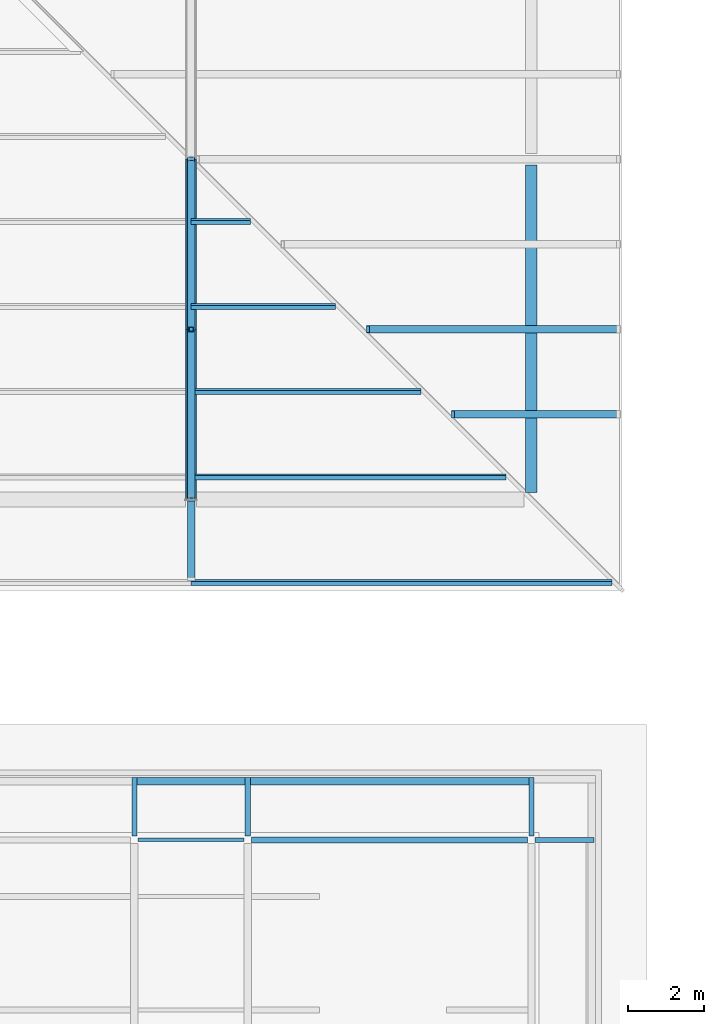
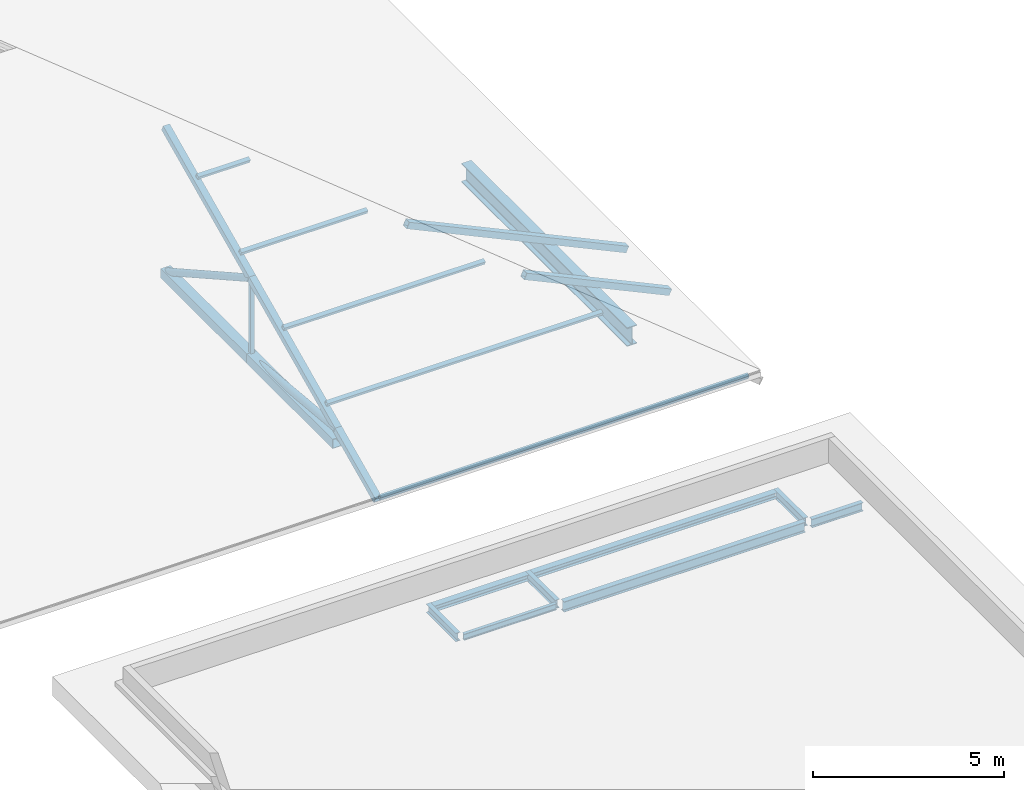
# One storey, part 66 of 154: 15 members, 9 beams.
"""IFC4 building model written with IfcOpenShell, lengths in metres."""

from ifc_helpers import new_model, si_unit, direction, frame, origin, origin_2d, place, context, subcontext, project, spatial, hollow_rectangle, hollow_circle, i_section, extrude, material, material_profile, profile_set, type_object, element, save


model = new_model("IFC4")

# Units and contexts
model_context = context("Model", 3, precision=1e-05, world=origin(), true_north=direction((0.0, 1.0)))
body_context = subcontext(model_context, "Body", "Model", "MODEL_VIEW")
ifc_project = project(units=[si_unit("LENGTHUNIT", "METRE"), si_unit("AREAUNIT", "SQUARE_METRE"), si_unit("VOLUMEUNIT", "CUBIC_METRE"), si_unit("PLANEANGLEUNIT", "RADIAN"), si_unit("MASSUNIT", "GRAM", prefix="KILO")], contexts=[model_context])

# Site, building, storey
site_placement = place(None, origin())
site = spatial("IfcSite", under=ifc_project, at=site_placement, CompositionType="ELEMENT")
building_placement = place(site_placement, origin())
building = spatial("IfcBuilding", under=site, at=building_placement, Name="Golden Quay Civic Hall", CompositionType="ELEMENT")
storey_placement = place(building_placement, frame((0.0, 0.0, 14.39990234375)))
storey = spatial("IfcBuildingStorey", under=building, at=storey_placement, Name="L03", CompositionType="ELEMENT", Elevation=14.39990234375)

# Beams
ifc_material_1 = material(Name="Steel S355", Category="steel")
ifc_material_profile_1 = material_profile(ifc_material_1, i_section(OverallWidth=0.199951171875, OverallDepth=0.18994140625, WebThickness=0.006591796875, FlangeThickness=0.010009765625, FilletRadius=0.01806640625, at=origin_2d()), Name="HEA 200")
ifc_profile_set_1 = profile_set([ifc_material_profile_1], Name="Steel S355")
beam_type_1 = type_object("IfcBeamType", Name="Eave edge beam HEA 200", PredefinedType="BEAM", material=ifc_profile_set_1)
beam_1_placement = place(storey_placement, frame((160.5673828125, 55.550048828125, -0.344970703125), z_axis=(1.0, 0.0, 0.0), x_axis=(0.0, 1.0, 0.0)))
element("IfcBeam", 1, at=beam_1_placement, inside=storey, type_object=beam_type_1, Name="Eave edge beam HEA 200 L03 9", PredefinedType="BEAM", context=body_context, shape_type="SweptSolid", body=[
    extrude(i_section(OverallWidth=0.199951171875, OverallDepth=0.18994140625, WebThickness=0.006591796875, FlangeThickness=0.010009765625, FilletRadius=0.01806640625, at=origin_2d()), origin(), (0.0, 0.0, 1.0), 2.865234375),
])
beam_2_placement = place(storey_placement, frame((163.5673828125, 55.550048828125, -0.344970703125), z_axis=(1.0, 0.0, 0.0), x_axis=(0.0, 1.0, 0.0)))
element("IfcBeam", 2, at=beam_2_placement, inside=storey, type_object=beam_type_1, Name="Eave edge beam HEA 200 L03 10", PredefinedType="BEAM", context=body_context, shape_type="SweptSolid", body=[
    extrude(i_section(OverallWidth=0.199951171875, OverallDepth=0.18994140625, WebThickness=0.006591796875, FlangeThickness=0.010009765625, FilletRadius=0.01806640625, at=origin_2d()), origin(), (0.0, 0.0, 1.0), 7.365234375),
])
ifc_material_2 = material(Name="Steel S355", Category="steel")
ifc_material_profile_2 = material_profile(ifc_material_2, i_section(OverallWidth=0.135009765625, OverallDepth=0.27001953125, WebThickness=0.006591796875, FlangeThickness=0.01025390625, FilletRadius=0.014892578125, at=origin_2d()), Name="IPE 270")
ifc_profile_set_2 = profile_set([ifc_material_profile_2], Name="Steel S355")
beam_type_2 = type_object("IfcBeamType", Name="Eave stub IPE 270", PredefinedType="BEAM", material=ifc_profile_set_2)
for number, where, z_axis, x_axis, name in (
    (3, (160.5, 54.094970703125, -0.385009765625), (0.0, 1.0, 0.0), (-1.0, 0.0, 0.0), "Eave stub IPE 270 L03 10"),
    (4, (163.5, 54.094970703125, -0.385009765625), (0.0, 1.0, 0.0), (-1.0, 0.0, 0.0), "Eave stub IPE 270 L03 11"),
    (5, (171.0, 54.094970703125, -0.385009765625), (0.0, 1.0, 0.0), (-1.0, 0.0, 0.0), "Eave stub IPE 270 L03 12"),
):
    element("IfcBeam", number, at=place(storey_placement, frame(where, z_axis=z_axis, x_axis=x_axis)), inside=storey, type_object=beam_type_2, Name=name, PredefinedType="BEAM", context=body_context, shape_type="SweptSolid", body=[
        extrude(i_section(OverallWidth=0.135009765625, OverallDepth=0.27001953125, WebThickness=0.006591796875, FlangeThickness=0.01025390625, FilletRadius=0.014892578125, at=origin_2d()), origin(), (0.0, 0.0, 1.0), 1.554931640625),
    ])
beam_3_placement = place(storey_placement, frame((171.10009765625, 54.0, -0.385009765625), z_axis=(1.0, 0.0, 0.0), x_axis=(0.0, 1.0, 0.0)))
element("IfcBeam", 6, at=beam_3_placement, inside=storey, type_object=beam_type_2, Name="Eave stub IPE 270 L03 20", PredefinedType="BEAM", context=body_context, shape_type="SweptSolid", body=[
    extrude(i_section(OverallWidth=0.135009765625, OverallDepth=0.27001953125, WebThickness=0.006591796875, FlangeThickness=0.01025390625, FilletRadius=0.014892578125, at=origin_2d()), origin(), (0.0, 0.0, 1.0), 1.5498046875),
])
ifc_material_3 = material(Name="Steel S355", Category="steel")
ifc_material_profile_3 = material_profile(ifc_material_3, i_section(OverallWidth=0.10009765625, OverallDepth=0.199951171875, WebThickness=0.005615234375, FlangeThickness=0.008544921875, FilletRadius=0.011962890625, at=origin_2d()), Name="IPE 200")
ifc_profile_set_3 = profile_set([ifc_material_profile_3], Name="Steel S355")
beam_type_3 = type_object("IfcBeamType", Name="Steel beam IPE 200", PredefinedType="BEAM", material=ifc_profile_set_3)
beam_4_placement = place(storey_placement, frame((160.60009765625, 54.0, -0.349853515625), z_axis=(1.0, 0.0, 0.0), x_axis=(0.0, 1.0, 0.0)))
element("IfcBeam", 7, at=beam_4_placement, inside=storey, type_object=beam_type_3, Name="Beam S54-160.5", PredefinedType="BEAM", context=body_context, shape_type="SweptSolid", body=[
    extrude(i_section(OverallWidth=0.10009765625, OverallDepth=0.199951171875, WebThickness=0.005615234375, FlangeThickness=0.008544921875, FilletRadius=0.011962890625, at=origin_2d()), origin(), (0.0, 0.0, 1.0), 2.7998046875),
])
ifc_material_4 = material(Name="Steel S355", Category="steel")
ifc_material_profile_4 = material_profile(ifc_material_4, i_section(OverallWidth=0.159912109375, OverallDepth=0.330078125, WebThickness=0.007568359375, FlangeThickness=0.011474609375, FilletRadius=0.01806640625, at=origin_2d()), Name="IPE 330")
ifc_profile_set_4 = profile_set([ifc_material_profile_4], Name="Steel S355")
beam_type_4 = type_object("IfcBeamType", Name="Steel beam IPE 330", PredefinedType="BEAM", material=ifc_profile_set_4)
beam_5_placement = place(storey_placement, frame((163.60009765625, 54.0, -0.414794921875), z_axis=(1.0, 0.0, 0.0), x_axis=(0.0, 1.0, 0.0)))
element("IfcBeam", 8, at=beam_5_placement, inside=storey, type_object=beam_type_4, Name="Beam S54-163.5", PredefinedType="BEAM", context=body_context, shape_type="SweptSolid", body=[
    extrude(i_section(OverallWidth=0.159912109375, OverallDepth=0.330078125, WebThickness=0.007568359375, FlangeThickness=0.011474609375, FilletRadius=0.01806640625, at=origin_2d()), origin(), (0.0, 0.0, 1.0), 7.2998046875),
])
ifc_material_5 = material(Name="Steel S355", Category="steel")
ifc_material_profile_5 = material_profile(ifc_material_5, i_section(OverallWidth=0.300048828125, OverallDepth=0.60009765625, WebThickness=0.015380859375, FlangeThickness=0.030029296875, FilletRadius=0.027099609375, at=origin_2d()), Name="HEB 600")
ifc_profile_set_5 = profile_set([ifc_material_profile_5], Name="Steel S355")
beam_type_5 = type_object("IfcBeamType", Name="Steel eaves girder HEB 600", PredefinedType="BEAM", material=ifc_profile_set_5)
beam_6_placement = place(storey_placement, frame((171.0, 63.179931640625, 0.050048828125), z_axis=(0.0, 1.0, 0.0), x_axis=(-1.0, 0.0, 0.0)))
element("IfcBeam", 9, at=beam_6_placement, inside=storey, type_object=beam_type_5, Name="Eaves girder 171-1 L03", PredefinedType="BEAM", context=body_context, shape_type="SweptSolid", body=[
    extrude(i_section(OverallWidth=0.300048828125, OverallDepth=0.60009765625, WebThickness=0.015380859375, FlangeThickness=0.030029296875, FilletRadius=0.027099609375, at=origin_2d()), origin(), (0.0, 0.0, 1.0), 8.670166015625),
])

# Members
ifc_material_6 = material(Name="Steel S355", Category="steel")
ifc_material_profile_6 = material_profile(ifc_material_6, hollow_rectangle(XDim=0.199951171875, YDim=0.199951171875, WallThickness=0.010009765625, at=origin_2d()), Name="SHS 200x200x10")
ifc_profile_set_6 = profile_set([ifc_material_profile_6], Name="Steel S355")
member_type_1 = type_object("IfcMemberType", Name="Steel jack rafter SHS 200x200x10", PredefinedType="RAFTER", material=ifc_profile_set_6)
member_1_placement = place(storey_placement, frame((173.300048828125, 65.25, -0.56787109375), z_axis=(-0.906312305086, 0.0, 0.422608572617), x_axis=(0.0, -1.0, 0.0)))
element("IfcMember", 10, at=member_1_placement, inside=storey, type_object=member_type_1, Name="Jack rafter east 1 L03", PredefinedType="RAFTER", context=body_context, shape_type="SweptSolid", body=[
    extrude(hollow_rectangle(XDim=0.199951171875, YDim=0.199951171875, WallThickness=0.010009765625, at=origin_2d()), origin(), (0.0, 0.0, 1.0), 4.8271484375),
])
member_2_placement = place(storey_placement, frame((173.300048828125, 67.5, -0.56787109375), z_axis=(-0.906304264127, 0.0, 0.422625816563), x_axis=(0.0, -1.0, 0.0)))
element("IfcMember", 11, at=member_2_placement, inside=storey, type_object=member_type_1, Name="Jack rafter east 2 L03", PredefinedType="RAFTER", context=body_context, shape_type="SweptSolid", body=[
    extrude(hollow_rectangle(XDim=0.199951171875, YDim=0.199951171875, WallThickness=0.010009765625, at=origin_2d()), origin(), (0.0, 0.0, 1.0), 7.309814453125),
])
ifc_material_7 = material(Name="Steel S355", Category="steel")
ifc_material_profile_7 = material_profile(ifc_material_7, hollow_rectangle(XDim=0.1201171875, YDim=0.1201171875, WallThickness=0.008056640625, at=origin_2d()), Name="SHS 120x120x8")
ifc_profile_set_7 = profile_set([ifc_material_profile_7], Name="Steel S355")
member_type_2 = type_object("IfcMemberType", Name="Steel roof purlin SHS 120x120x8", PredefinedType="PURLIN", material=ifc_profile_set_7)
member_3_placement = place(storey_placement, frame((162.0, 60.800048828125, -0.521240234375), z_axis=(1.0, 0.0, 0.0), x_axis=(0.0, 0.906307787037, 0.422618261741)))
element("IfcMember", 12, at=member_3_placement, inside=storey, type_object=member_type_2, Name="Purlin south 1-6 L03", PredefinedType="PURLIN", context=body_context, shape_type="SweptSolid", body=[
    extrude(hollow_rectangle(XDim=0.1201171875, YDim=0.1201171875, WallThickness=0.008056640625, at=origin_2d()), origin(), (0.0, 0.0, 1.0), 11.125),
])
member_4_placement = place(storey_placement, frame((162.0, 63.60009765625, 0.784423828125), z_axis=(1.0, 0.0, 0.0), x_axis=(0.0, 0.906307787037, 0.422618261741)))
element("IfcMember", 13, at=member_4_placement, inside=storey, type_object=member_type_2, Name="Purlin south 2-6 L03", PredefinedType="PURLIN", context=body_context, shape_type="SweptSolid", body=[
    extrude(hollow_rectangle(XDim=0.1201171875, YDim=0.1201171875, WallThickness=0.008056640625, at=origin_2d()), origin(), (0.0, 0.0, 1.0), 8.324951171875),
])
member_5_placement = place(storey_placement, frame((162.0, 65.85009765625, 1.83349609375), z_axis=(1.0, 0.0, 0.0), x_axis=(0.0, 0.906307787037, 0.422618261741)))
element("IfcMember", 14, at=member_5_placement, inside=storey, type_object=member_type_2, Name="Purlin south 3-6 L03", PredefinedType="PURLIN", context=body_context, shape_type="SweptSolid", body=[
    extrude(hollow_rectangle(XDim=0.1201171875, YDim=0.1201171875, WallThickness=0.008056640625, at=origin_2d()), origin(), (0.0, 0.0, 1.0), 6.074951171875),
])
member_6_placement = place(storey_placement, frame((162.0, 68.10009765625, 2.8828125), z_axis=(1.0, 0.0, 0.0), x_axis=(0.0, 0.906307787037, 0.422618261741)))
element("IfcMember", 15, at=member_6_placement, inside=storey, type_object=member_type_2, Name="Purlin south 4-6 L03", PredefinedType="PURLIN", context=body_context, shape_type="SweptSolid", body=[
    extrude(hollow_rectangle(XDim=0.1201171875, YDim=0.1201171875, WallThickness=0.008056640625, at=origin_2d()), origin(), (0.0, 0.0, 1.0), 3.824951171875),
])
member_7_placement = place(storey_placement, frame((162.0, 70.35009765625, 3.931884765625), z_axis=(1.0, 0.0, 0.0), x_axis=(0.0, 0.906307787037, 0.422618261741)))
element("IfcMember", 16, at=member_7_placement, inside=storey, type_object=member_type_2, Name="Purlin south 5-6 L03", PredefinedType="PURLIN", context=body_context, shape_type="SweptSolid", body=[
    extrude(hollow_rectangle(XDim=0.1201171875, YDim=0.1201171875, WallThickness=0.008056640625, at=origin_2d()), origin(), (0.0, 0.0, 1.0), 1.574951171875),
])
ifc_material_8 = material(Name="Steel S355", Category="steel")
ifc_material_profile_8 = material_profile(ifc_material_8, hollow_rectangle(XDim=0.300048828125, YDim=0.300048828125, WallThickness=0.01611328125, at=origin_2d()), Name="SHS 300x300x16")
ifc_profile_set_8 = profile_set([ifc_material_profile_8], Name="Steel S355")
member_type_3 = type_object("IfcMemberType", Name="Steel truss bottom chord SHS 300x300x16", PredefinedType="USERDEFINED", material=ifc_profile_set_8)
for number, where, z_axis, x_axis, name in (
    (17, (162.0, 63.0, -0.099853515625), (0.0, 1.0, 0.0), (-1.0, 0.0, 0.0), "Truss 162 bottom chord 1 L03"),
    (18, (162.0, 67.5, -0.099853515625), (0.0, 1.0, 0.0), (-1.0, 0.0, 0.0), "Truss 162 bottom chord 2 L03"),
):
    element("IfcMember", number, at=place(storey_placement, frame(where, z_axis=z_axis, x_axis=x_axis)), inside=storey, type_object=member_type_3, Name=name, ObjectType="TRUSS BOTTOM CHORD", PredefinedType="USERDEFINED", context=body_context, shape_type="SweptSolid", body=[
        extrude(hollow_rectangle(XDim=0.300048828125, YDim=0.300048828125, WallThickness=0.01611328125, at=origin_2d()), origin(), (0.0, 0.0, 1.0), 4.5),
    ])
ifc_material_9 = material(Name="Steel S355", Category="steel")
ifc_material_profile_9 = material_profile(ifc_material_9, hollow_circle(Radius=0.109619140625, WallThickness=0.010009765625, at=origin_2d()), Name="CHS 219.1x10")
ifc_profile_set_9 = profile_set([ifc_material_profile_9], Name="Steel S355")
member_type_4 = type_object("IfcMemberType", Name="Steel truss diagonal CHS 219.1x10", PredefinedType="BRACE", material=ifc_profile_set_9)
member_8_placement = place(storey_placement, frame((162.0, 63.0, 0.327880859375), z_axis=(0.0, 0.995512933083, -0.094625578275), x_axis=(-1.0, 0.0, 0.0)))
element("IfcMember", 19, at=member_8_placement, inside=storey, type_object=member_type_4, Name="Truss 162 diagonal 1 L03", PredefinedType="BRACE", context=body_context, shape_type="SweptSolid", body=[
    extrude(hollow_circle(Radius=0.109619140625, WallThickness=0.010009765625, at=origin_2d()), origin(), (0.0, 0.0, 1.0), 4.520263671875),
])
member_9_placement = place(storey_placement, frame((162.0, 67.5, 2.426513671875), z_axis=(0.0, 0.871979533951, -0.489542329499), x_axis=(-1.0, 0.0, 0.0)))
element("IfcMember", 20, at=member_9_placement, inside=storey, type_object=member_type_4, Name="Truss 162 diagonal 2 L03", PredefinedType="BRACE", context=body_context, shape_type="SweptSolid", body=[
    extrude(hollow_circle(Radius=0.109619140625, WallThickness=0.010009765625, at=origin_2d()), origin(), (0.0, 0.0, 1.0), 5.16064453125),
])
ifc_material_10 = material(Name="Steel S355", Category="steel")
ifc_material_profile_10 = material_profile(ifc_material_10, hollow_rectangle(XDim=0.1201171875, YDim=0.1201171875, WallThickness=0.008056640625, at=origin_2d()), Name="SHS 120x120x8")
ifc_profile_set_10 = profile_set([ifc_material_profile_10], Name="Steel S355")
member_type_5 = type_object("IfcMemberType", Name="Steel truss post SHS 120x120x8", PredefinedType="USERDEFINED", material=ifc_profile_set_10)
member_10_placement = place(storey_placement, frame((162.0, 67.5, 0.050048828125), z_axis=(0.0, 0.0, 1.0), x_axis=(1.0, 0.0, 0.0)))
element("IfcMember", 21, at=member_10_placement, inside=storey, type_object=member_type_5, Name="Truss 162 post 2 L03", ObjectType="TRUSS POST", PredefinedType="USERDEFINED", context=body_context, shape_type="SweptSolid", body=[
    extrude(hollow_rectangle(XDim=0.1201171875, YDim=0.1201171875, WallThickness=0.008056640625, at=origin_2d()), origin(), (0.0, 0.0, 1.0), 2.26611328125),
])
ifc_material_11 = material(Name="Steel S355", Category="steel")
ifc_material_profile_11 = material_profile(ifc_material_11, hollow_rectangle(XDim=0.199951171875, YDim=0.199951171875, WallThickness=0.010009765625, at=origin_2d()), Name="SHS 200x200x10")
ifc_profile_set_11 = profile_set([ifc_material_profile_11], Name="Steel S355")
member_type_6 = type_object("IfcMemberType", Name="Steel truss top chord SHS 200x200x10", PredefinedType="USERDEFINED", material=ifc_profile_set_11)
member_11_placement = place(storey_placement, frame((162.0, 60.89990234375, -0.651123046875), z_axis=(0.0, 0.906355341487, 0.42251626591), x_axis=(-1.0, 0.0, 0.0)))
element("IfcMember", 22, at=member_11_placement, inside=storey, type_object=member_type_6, Name="Truss 162 top chord 1 L03", ObjectType="TRUSS TOP CHORD", PredefinedType="USERDEFINED", context=body_context, shape_type="SweptSolid", body=[
    extrude(hollow_rectangle(XDim=0.199951171875, YDim=0.199951171875, WallThickness=0.010009765625, at=origin_2d()), origin(), (0.0, 0.0, 1.0), 2.317138671875),
])
member_12_placement = place(storey_placement, frame((162.0, 63.0, 0.327880859375), z_axis=(0.0, 0.906288628397, 0.422659345144), x_axis=(-1.0, 0.0, 0.0)))
element("IfcMember", 23, at=member_12_placement, inside=storey, type_object=member_type_6, Name="Truss 162 top chord 2 L03", ObjectType="TRUSS TOP CHORD", PredefinedType="USERDEFINED", context=body_context, shape_type="SweptSolid", body=[
    extrude(hollow_rectangle(XDim=0.199951171875, YDim=0.199951171875, WallThickness=0.010009765625, at=origin_2d()), origin(), (0.0, 0.0, 1.0), 4.96533203125),
])
member_13_placement = place(storey_placement, frame((162.0, 67.5, 2.426513671875), z_axis=(0.0, 0.906307462258, 0.422618958231), x_axis=(-1.0, 0.0, 0.0)))
element("IfcMember", 24, at=member_13_placement, inside=storey, type_object=member_type_6, Name="Truss 162 top chord 3 L03", ObjectType="TRUSS TOP CHORD", PredefinedType="USERDEFINED", context=body_context, shape_type="SweptSolid", body=[
    extrude(hollow_rectangle(XDim=0.199951171875, YDim=0.199951171875, WallThickness=0.010009765625, at=origin_2d()), origin(), (0.0, 0.0, 1.0), 4.965087890625),
])

save(model, "model.ifc")
